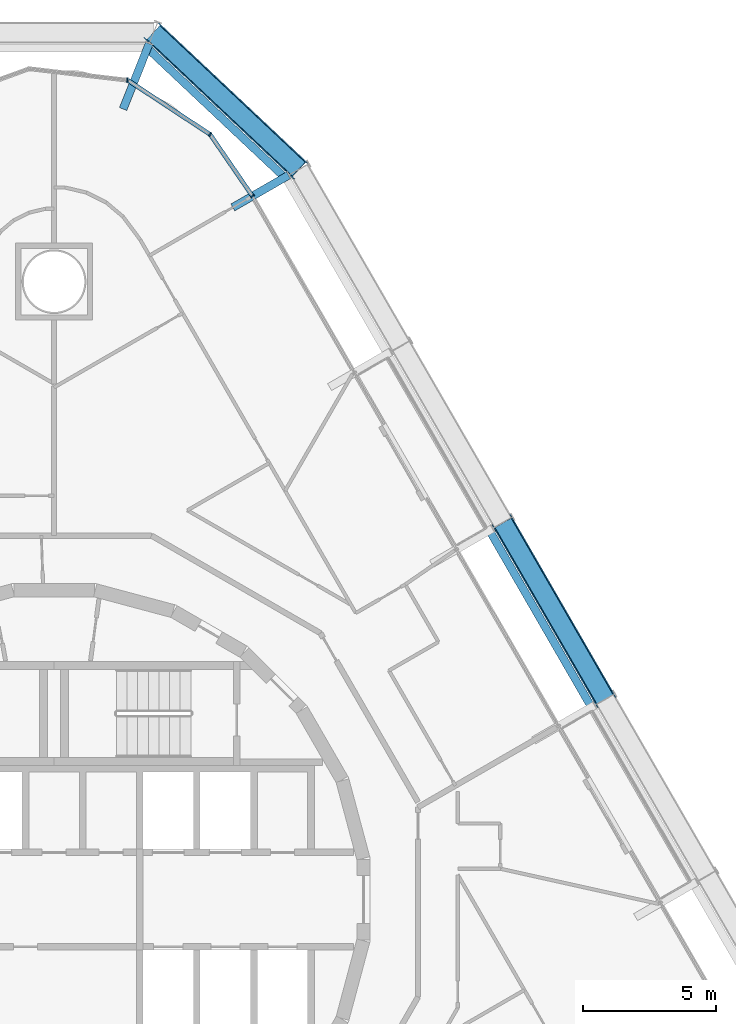
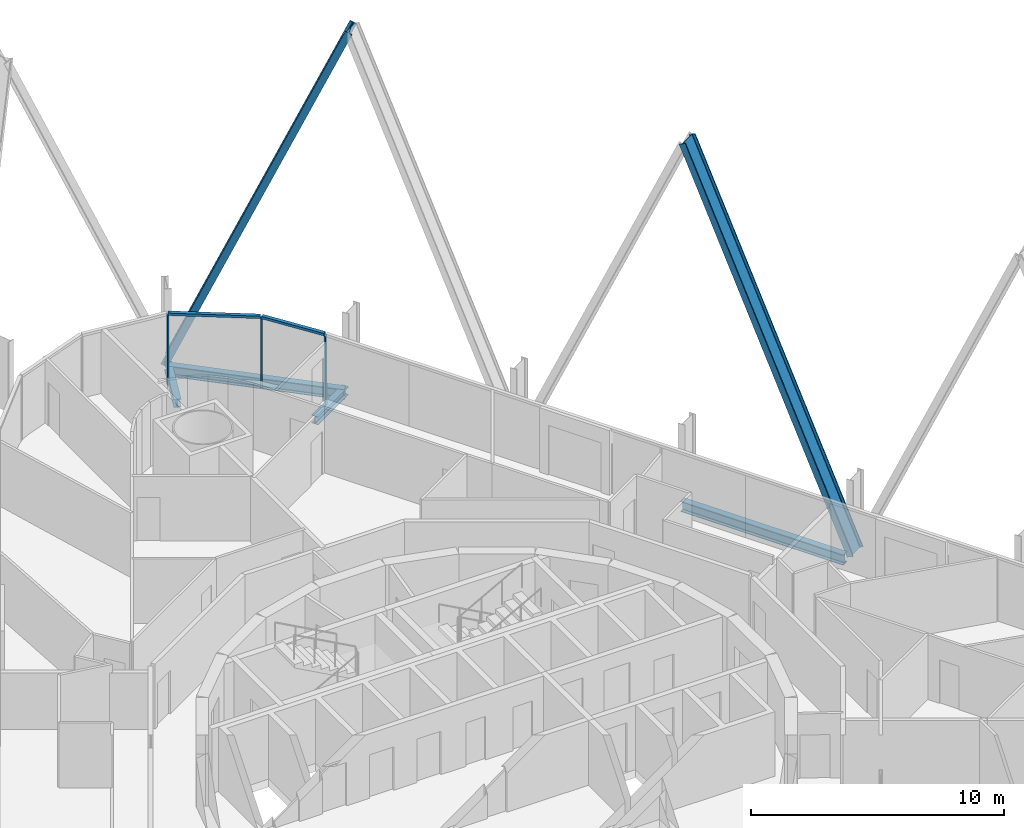
# One storey, part 12 of 22: 7 members, 4 beams, 1 element without a shape of its own.
"""IFC4 building model written with IfcOpenShell, lengths in metres."""

from ifc_helpers import new_model, si_unit, direction, frame, origin, origin_2d, place, context, subcontext, project, spatial, rectangle, i_section, extrude, material, layer, layer_set, material_profile, profile_set, type_object, element, aggregate, save


model = new_model("IFC4")

# Units and contexts
model_context = context("Model", 3, precision=1e-05, world=origin(), true_north=direction((0.0, 1.0)))
body_context = subcontext(model_context, "Body", "Model", "MODEL_VIEW")
ifc_project = project(units=[si_unit("LENGTHUNIT", "METRE"), si_unit("AREAUNIT", "SQUARE_METRE"), si_unit("VOLUMEUNIT", "CUBIC_METRE"), si_unit("PLANEANGLEUNIT", "RADIAN"), si_unit("MASSUNIT", "GRAM", prefix="KILO")], contexts=[model_context])

# Site, building, storey
site_placement = place(None, origin())
site = spatial("IfcSite", under=ifc_project, at=site_placement, CompositionType="ELEMENT")
building_placement = place(site_placement, origin())
building = spatial("IfcBuilding", under=site, at=building_placement, Name="Spindle Arch Residences", CompositionType="ELEMENT")
storey_placement = place(building_placement, frame((0.0, 0.0, 52.39990234375)))
storey = spatial("IfcBuildingStorey", under=building, at=storey_placement, Name="L11", CompositionType="ELEMENT", Elevation=52.39990234375)

# Curtain wall, members
ifc_material_1 = material(Name="Aluminium bronze unitised frame with tinted glass", Category="aluminium")
ifc_layer = layer(ifc_material_1, 0.159912109375)
ifc_layer_set = layer_set([ifc_layer], Name="CW-D corner wall on the fillet arcs")
curtain_wall_type = type_object("IfcCurtainWallType", Name="CW-D corner wall on the fillet arcs", PredefinedType="NOTDEFINED", material=ifc_layer_set)
curtain_wall_placement = place(storey_placement, origin())
curtain_wall = element("IfcCurtainWall", 1, at=curtain_wall_placement, inside=storey, type_object=curtain_wall_type, Name="CW-D L11 run 3", PredefinedType="NOTDEFINED")
ifc_material_2 = material(Name="Aluminium bronze anodised mullion", Category="aluminium")
ifc_material_profile_1 = material_profile(ifc_material_2, rectangle(XDim=0.159912109375, YDim=0.06005859375, at=origin_2d()), Name="MU 60x160")
ifc_profile_set_1 = profile_set([ifc_material_profile_1], Name="Aluminium bronze anodised mullion")
member_type_1 = type_object("IfcMemberType", Name="Bronze mullion 60x160", PredefinedType="MULLION", material=ifc_profile_set_1)
member_1_placement = place(storey_placement, frame((7.46923828125, 26.48291015625, -0.3798828125), z_axis=(0.0, 0.0, 1.0), x_axis=(-0.824747802142, -0.565500718711, 0.0)))
member_1 = element("IfcMember", 2, at=member_1_placement, type_object=member_type_1, Name="CW-D mullion 00", PredefinedType="MULLION", context=body_context, shape_type="SweptSolid", body=[
    extrude(rectangle(XDim=0.159912109375, YDim=0.06005859375, at=origin_2d()), origin(), (0.0, 0.0, 1.0), 3.3798828125),
])
member_2_placement = place(storey_placement, frame((5.877197265625, 28.8046875, -0.3798828125), z_axis=(0.0, 0.0, 1.0), x_axis=(-0.549508977628, -0.835487811704, 0.0)))
member_2 = element("IfcMember", 3, at=member_2_placement, type_object=member_type_1, Name="CW-D mullion 01", PredefinedType="MULLION", context=body_context, shape_type="SweptSolid", body=[
    extrude(rectangle(XDim=0.159912109375, YDim=0.06005859375, at=origin_2d()), origin(), (0.0, 0.0, 1.0), 3.3798828125),
])
member_3_placement = place(storey_placement, frame((2.763427734375, 30.8525390625, -0.3798828125), z_axis=(0.0, 0.0, 1.0), x_axis=(-0.116092915414, -0.993238357591, 0.0)))
member_3 = element("IfcMember", 4, at=member_3_placement, type_object=member_type_1, Name="CW-D mullion 02", PredefinedType="MULLION", context=body_context, shape_type="SweptSolid", body=[
    extrude(rectangle(XDim=0.159912109375, YDim=0.06005859375, at=origin_2d()), origin(), (0.0, 0.0, 1.0), 3.3798828125),
])
ifc_material_3 = material(Name="Aluminium bronze anodised transom", Category="aluminium")
ifc_material_profile_2 = material_profile(ifc_material_3, rectangle(XDim=0.159912109375, YDim=0.1201171875, at=origin_2d()), Name="TR 120x160")
ifc_profile_set_2 = profile_set([ifc_material_profile_2], Name="Aluminium bronze anodised transom")
member_type_2 = type_object("IfcMemberType", Name="Bronze transom 120x160", PredefinedType="USERDEFINED", material=ifc_profile_set_2)
member_4_placement = place(storey_placement, frame((7.4521484375, 26.507568359375, 3.06005859375), z_axis=(-0.565490471855, 0.824754827958, 0.0), x_axis=(-0.824754827958, -0.565490471855, 0.0)))
member_4 = element("IfcMember", 5, at=member_4_placement, type_object=member_type_2, Name="CW-D transom 00", ObjectType="TRANSOM", PredefinedType="USERDEFINED", context=body_context, shape_type="SweptSolid", body=[
    extrude(rectangle(XDim=0.159912109375, YDim=0.1201171875, at=origin_2d()), origin(), (0.0, 0.0, 1.0), 2.75537109375),
])
member_5_placement = place(storey_placement, frame((5.85205078125, 28.821044921875, 3.06005859375), z_axis=(-0.835486265536, 0.549511328456, 0.0), x_axis=(-0.549511328456, -0.835486265536, 0.0)))
member_5 = element("IfcMember", 6, at=member_5_placement, type_object=member_type_2, Name="CW-D transom 01", ObjectType="TRANSOM", PredefinedType="USERDEFINED", context=body_context, shape_type="SweptSolid", body=[
    extrude(rectangle(XDim=0.159912109375, YDim=0.1201171875, at=origin_2d()), origin(), (0.0, 0.0, 1.0), 3.666748046875),
])
aggregate(curtain_wall, [member_1, member_4, member_2, member_5, member_3])

# Members
ifc_material_4 = material(Name="Steel S460ML, intumescent coating R 240", Category="steel")
ifc_material_profile_3 = material_profile(ifc_material_4, i_section(OverallWidth=0.302978515625, OverallDepth=0.81396484375, WebThickness=0.02099609375, FlangeThickness=0.0400390625, FilletRadius=0.030029296875, at=origin_2d()), Name="HEM 800")
ifc_profile_set_3 = profile_set([ifc_material_profile_3], Name="Steel S460ML, intumescent coating R 240")
member_type_3 = type_object("IfcMemberType", Name="Diagrid diagonal HEM 800", PredefinedType="BRACE", material=ifc_profile_set_3)
member_6_placement = place(storey_placement, frame((20.73876953125, 7.539306640625, -0.6298828125), z_axis=(-0.203142721803, 0.351847998607, 0.913748335405), x_axis=(0.456879540285, -0.79132616924, 0.406280665975)))
element("IfcMember", 7, at=member_6_placement, inside=storey, type_object=member_type_3, Name="Diagrid diagonal 1.2.8", PredefinedType="BRACE", context=body_context, shape_type="SweptSolid", body=[
    extrude(i_section(OverallWidth=0.302978515625, OverallDepth=0.81396484375, WebThickness=0.02099609375, FlangeThickness=0.0400390625, FilletRadius=0.030029296875, at=origin_2d()), origin(), (0.0, 0.0, 1.0), 18.9033203125),
])
member_7_placement = place(storey_placement, frame((3.748291015625, 32.638671875, -0.6298828125), z_axis=(0.29042836265, -0.273201758439, 0.917067154223), x_axis=(-0.667971938553, 0.628351537485, 0.398732786018)))
element("IfcMember", 8, at=member_7_placement, inside=storey, type_object=member_type_3, Name="Diagrid diagonal 1.2.11", PredefinedType="BRACE", context=body_context, shape_type="SweptSolid", body=[
    extrude(i_section(OverallWidth=0.302978515625, OverallDepth=0.81396484375, WebThickness=0.02099609375, FlangeThickness=0.0400390625, FilletRadius=0.030029296875, at=origin_2d()), origin(), (0.0, 0.0, 1.0), 18.8349609375),
])

# Beams
ifc_material_5 = material(Name="Steel S460ML, intumescent coating R 120", Category="steel")
ifc_material_profile_4 = material_profile(ifc_material_5, i_section(OverallWidth=0.300048828125, OverallDepth=0.5, WebThickness=0.014404296875, FlangeThickness=0.028076171875, FilletRadius=0.027099609375, at=origin_2d()), Name="HEB 500")
ifc_profile_set_4 = profile_set([ifc_material_profile_4], Name="Steel S460ML, intumescent coating R 120")
beam_type_1 = type_object("IfcBeamType", Name="Exoskeleton edge beam HEB 500", PredefinedType="BEAM", material=ifc_profile_set_4)
beam_1_placement = place(storey_placement, frame((20.165283203125, 7.3583984375, -0.6298828125), z_axis=(-0.5000139068, 0.866017374541, 0.0), x_axis=(-0.866017374541, -0.5000139068, 0.0)))
element("IfcBeam", 9, at=beam_1_placement, inside=storey, type_object=beam_type_1, Name="Exoskeleton edge beam 8", PredefinedType="BEAM", context=body_context, shape_type="SweptSolid", body=[
    extrude(i_section(OverallWidth=0.300048828125, OverallDepth=0.5, WebThickness=0.014404296875, FlangeThickness=0.028076171875, FilletRadius=0.027099609375, at=origin_2d()), origin(), (0.0, 0.0, 1.0), 7.420166015625),
])
beam_2_placement = place(storey_placement, frame((8.739501953125, 27.13818359375, -0.6298828125), z_axis=(-0.728394714383, 0.685157748303, 0.0), x_axis=(-0.685157748303, -0.728394714383, 0.0)))
element("IfcBeam", 10, at=beam_2_placement, inside=storey, type_object=beam_type_1, Name="Exoskeleton edge beam 11", PredefinedType="BEAM", context=body_context, shape_type="SweptSolid", body=[
    extrude(i_section(OverallWidth=0.300048828125, OverallDepth=0.5, WebThickness=0.014404296875, FlangeThickness=0.028076171875, FilletRadius=0.027099609375, at=origin_2d()), origin(), (0.0, 0.0, 1.0), 7.250244140625),
])
ifc_material_6 = material(Name="Steel S460ML, intumescent coating R 120", Category="steel")
ifc_material_profile_5 = material_profile(ifc_material_6, i_section(OverallWidth=0.300048828125, OverallDepth=0.389892578125, WebThickness=0.010986328125, FlangeThickness=0.01904296875, FilletRadius=0.027099609375, at=origin_2d()), Name="HEA 400")
ifc_profile_set_5 = profile_set([ifc_material_profile_5], Name="Steel S460ML, intumescent coating R 120")
beam_type_2 = type_object("IfcBeamType", Name="Floor outrigger HEA 400", PredefinedType="BEAM", material=ifc_profile_set_5)
beam_3_placement = place(storey_placement, frame((8.828857421875, 27.267822265625, -0.574951171875), z_axis=(-0.866002732682, -0.500039265445, 0.0), x_axis=(0.500039265445, -0.866002732682, 0.0)))
element("IfcBeam", 11, at=beam_3_placement, inside=storey, type_object=beam_type_2, Name="Floor outrigger 11", PredefinedType="BEAM", context=body_context, shape_type="SweptSolid", body=[
    extrude(i_section(OverallWidth=0.300048828125, OverallDepth=0.389892578125, WebThickness=0.010986328125, FlangeThickness=0.01904296875, FilletRadius=0.027099609375, at=origin_2d()), origin(), (0.0, 0.0, 1.0), 2.423583984375),
])
beam_4_placement = place(storey_placement, frame((3.581298828125, 32.220703125, -0.574951171875), z_axis=(-0.371104734129, -0.928591016706, 0.0), x_axis=(0.928591016706, -0.371104734129, 0.0)))
element("IfcBeam", 12, at=beam_4_placement, inside=storey, type_object=beam_type_2, Name="Floor outrigger 12", PredefinedType="BEAM", context=body_context, shape_type="SweptSolid", body=[
    extrude(i_section(OverallWidth=0.300048828125, OverallDepth=0.389892578125, WebThickness=0.010986328125, FlangeThickness=0.01904296875, FilletRadius=0.027099609375, at=origin_2d()), origin(), (0.0, 0.0, 1.0), 2.64990234375),
])

save(model, "model.ifc")
